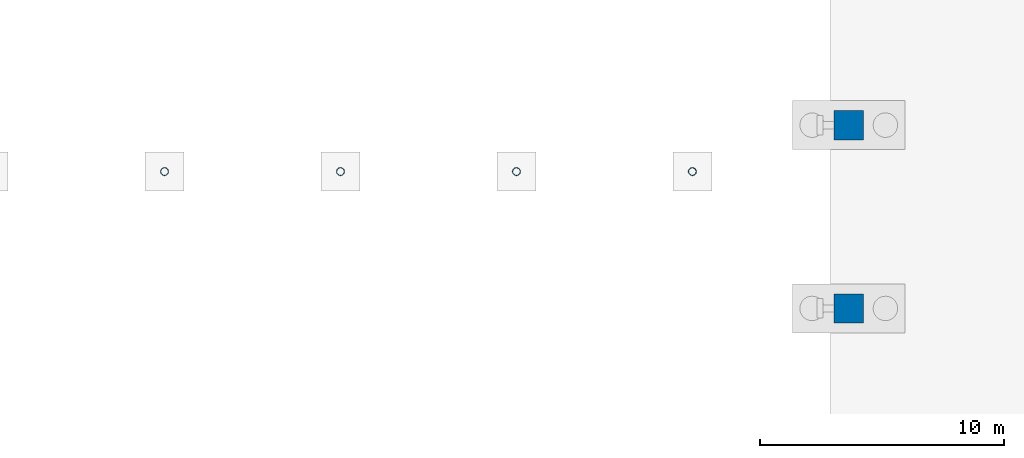
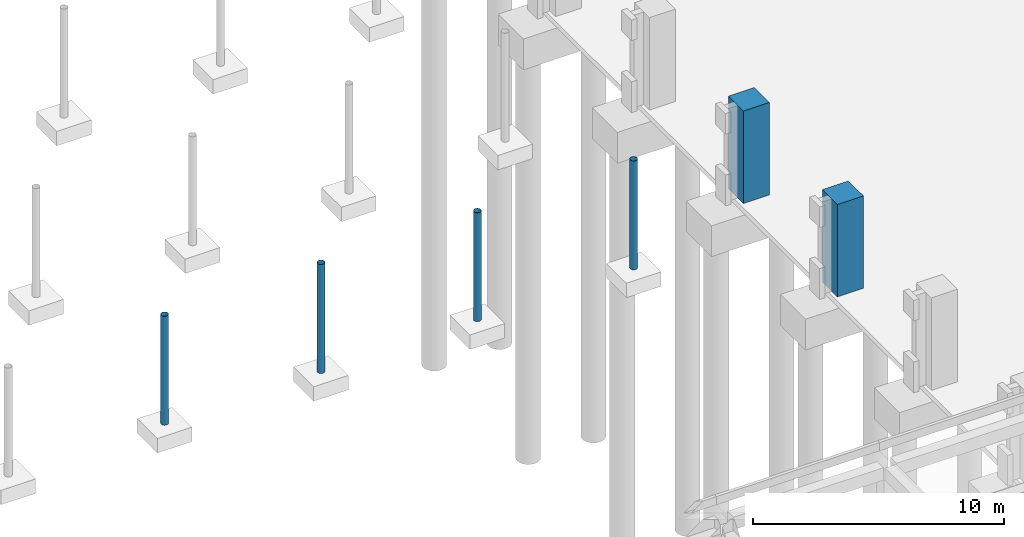
# One storey, part 9 of 99: 6 columns.
"""IFC4 building model written with IfcOpenShell, lengths in metres."""

from ifc_helpers import new_model, si_unit, direction, frame, origin, origin_2d, place, context, subcontext, project, spatial, rectangle, hollow_circle, extrude, material, material_profile, profile_set, type_object, element, save


model = new_model("IFC4")

# Units and contexts
model_context = context("Model", 3, precision=1e-05, world=origin(), true_north=direction((0.0, 1.0)))
body_context = subcontext(model_context, "Body", "Model", "MODEL_VIEW")
ifc_project = project(units=[si_unit("LENGTHUNIT", "METRE"), si_unit("AREAUNIT", "SQUARE_METRE"), si_unit("VOLUMEUNIT", "CUBIC_METRE"), si_unit("PLANEANGLEUNIT", "RADIAN"), si_unit("MASSUNIT", "GRAM", prefix="KILO")], contexts=[model_context])

# Site, building, storey
site_placement = place(None, origin())
site = spatial("IfcSite", under=ifc_project, at=site_placement, CompositionType="ELEMENT")
building_placement = place(site_placement, origin())
building = spatial("IfcBuilding", under=site, at=building_placement, Name="Cour d'Honneur Mobility Palace", CompositionType="ELEMENT")
storey_placement = place(building_placement, origin())
storey = spatial("IfcBuildingStorey", under=building, at=storey_placement, Name="L00", CompositionType="ELEMENT", Elevation=0.0)

# Columns
ifc_material_1 = material(Name="Steel S355", Category="steel")
ifc_material_profile_1 = material_profile(ifc_material_1, hollow_circle(Radius=0.161865234375, WallThickness=0.010009765625, at=origin_2d()), Name="CHS 323.9x10")
ifc_profile_set_1 = profile_set([ifc_material_profile_1], Name="Steel S355")
column_type_1 = type_object("IfcColumnType", Name="Canopy column CHS 323.9x10", PredefinedType="COLUMN", material=ifc_profile_set_1)
for number, where, z_axis, x_axis, name in (
    (1, (34.39990234375, 90.5, -0.300048828125), (0.0, 0.0, 1.0), (1.0, 0.0, 0.0), "Canopy column FCC-W1.3"),
    (2, (41.60009765625, 90.5, -0.300048828125), (0.0, 0.0, 1.0), (1.0, 0.0, 0.0), "Canopy column FCC-W1.4"),
    (3, (48.800048828125, 90.5, -0.300048828125), (0.0, 0.0, 1.0), (1.0, 0.0, 0.0), "Canopy column FCC-W1.5"),
    (4, (56.0, 90.5, -0.300048828125), (0.0, 0.0, 1.0), (1.0, 0.0, 0.0), "Canopy column FCC-W1.6"),
):
    element("IfcColumn", number, at=place(storey_placement, frame(where, z_axis=z_axis, x_axis=x_axis)), inside=storey, type_object=column_type_1, Name=name, PredefinedType="COLUMN", context=body_context, shape_type="SweptSolid", body=[
        extrude(hollow_circle(Radius=0.161865234375, WallThickness=0.010009765625, at=origin_2d()), origin(), (0.0, 0.0, 1.0), 5.300048828125),
    ])
ifc_material_2 = material(Name="Concrete C50", Category="concrete")
ifc_material_profile_2 = material_profile(ifc_material_2, rectangle(XDim=1.199951171875, YDim=1.199951171875, at=origin_2d()), Name="Hall pier 1200x1200")
ifc_profile_set_2 = profile_set([ifc_material_profile_2], Name="Concrete C50")
column_type_2 = type_object("IfcColumnType", Name="Hall pier 1200x1200", PredefinedType="COLUMN", material=ifc_profile_set_2)
for number, where, z_axis, x_axis, name in (
    (5, (62.39990234375, 84.89990234375, 0.0), (0.0, 0.0, 1.0), (1.0, 0.0, 0.0), "Hall pier HP-W4"),
    (6, (62.39990234375, 92.39990234375, 0.0), (0.0, 0.0, 1.0), (1.0, 0.0, 0.0), "Hall pier HP-W5"),
):
    element("IfcColumn", number, at=place(storey_placement, frame(where, z_axis=z_axis, x_axis=x_axis)), inside=storey, type_object=column_type_2, Name=name, PredefinedType="COLUMN", context=body_context, shape_type="SweptSolid", body=[
        extrude(rectangle(XDim=1.199951171875, YDim=1.199951171875, at=origin_2d()), origin(), (0.0, 0.0, 1.0), 4.5),
    ])

save(model, "model.ifc")
